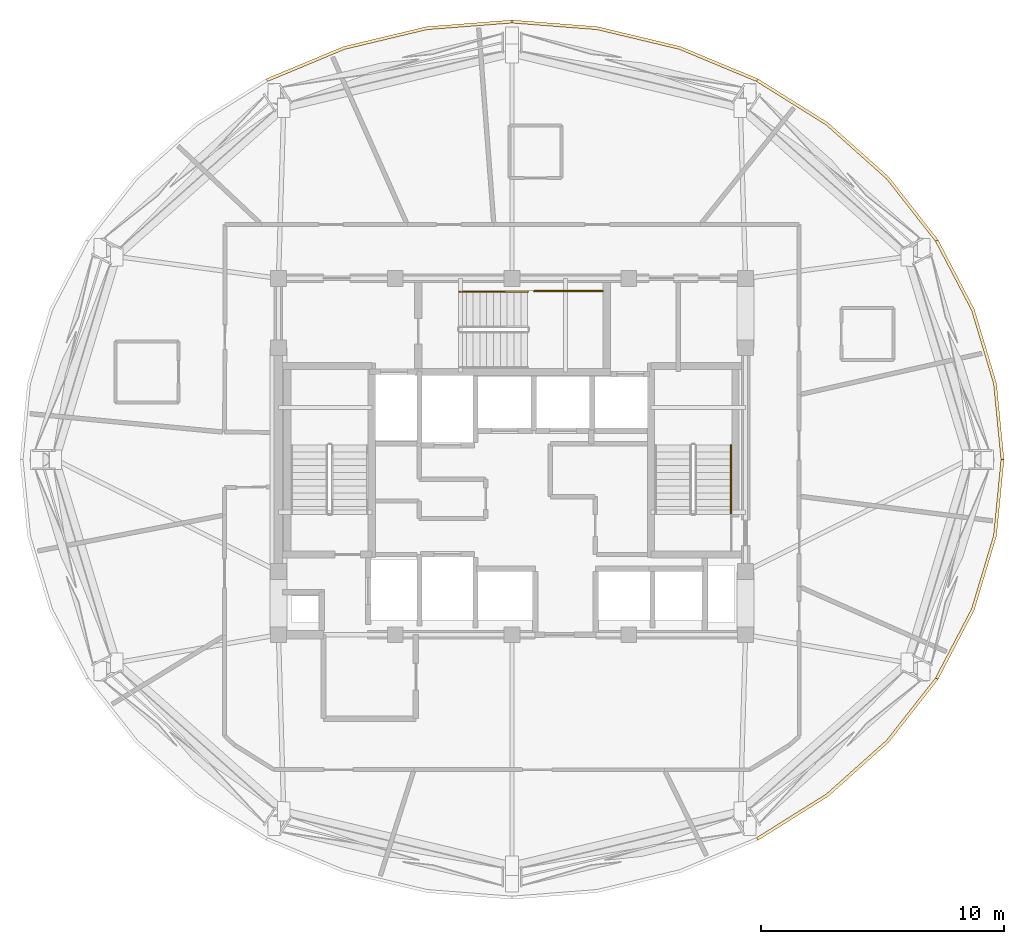
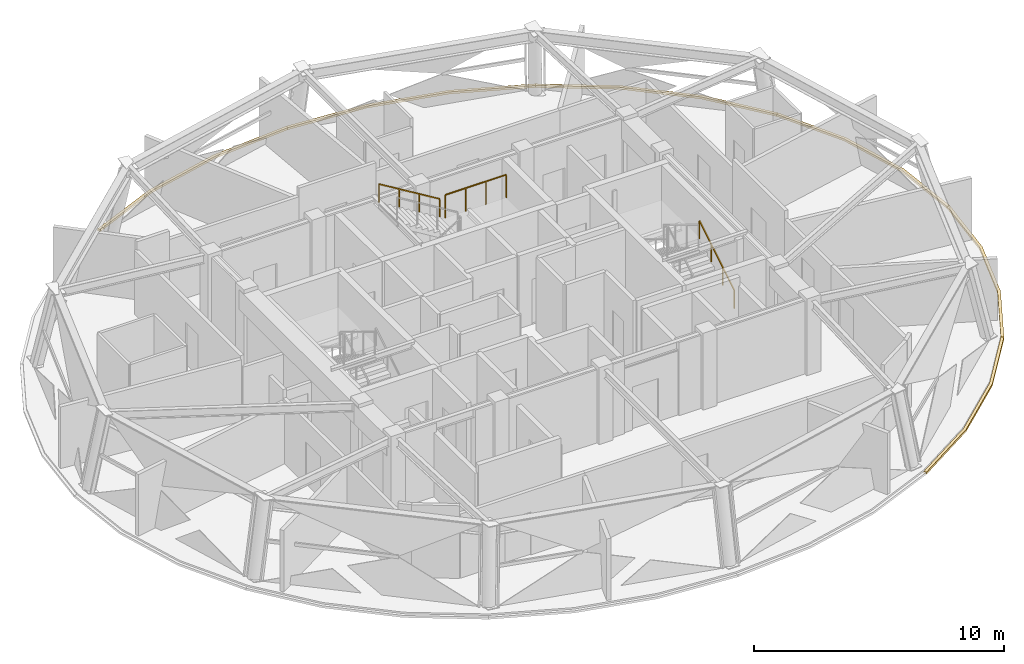
# One storey, part 11 of 11: 6 coverings, 3 railings.
"""IFC4 building model written with IfcOpenShell, lengths in metres."""

from ifc_helpers import new_model, si_unit, direction, frame, origin, origin_2d, place, context, subcontext, project, spatial, polyline, rectangle, outline, extrude, material, layer, layer_set, type_object, element, save


model = new_model("IFC4")

# Units and contexts
model_context = context("Model", 3, precision=1e-05, world=origin(), true_north=direction((0.0, 1.0)))
body_context = subcontext(model_context, "Body", "Model", "MODEL_VIEW")
ifc_project = project(units=[si_unit("LENGTHUNIT", "METRE"), si_unit("AREAUNIT", "SQUARE_METRE"), si_unit("VOLUMEUNIT", "CUBIC_METRE"), si_unit("PLANEANGLEUNIT", "RADIAN"), si_unit("MASSUNIT", "GRAM", prefix="KILO")], contexts=[model_context])

# Site, building, storey
site_placement = place(None, origin())
site = spatial("IfcSite", under=ifc_project, at=site_placement, CompositionType="ELEMENT")
building_placement = place(site_placement, origin())
building = spatial("IfcBuilding", under=site, at=building_placement, Name="Vantalir Tower", CompositionType="ELEMENT")
storey_placement = place(building_placement, frame((0.0, 0.0, 278.85009765625)))
storey = spatial("IfcBuildingStorey", under=building, at=storey_placement, Name="L70", CompositionType="ELEMENT", Elevation=278.85009765625)

# Coverings
ifc_material_1 = material(Name="Anodised champagne aluminium sill fascia", Category="aluminium")
ifc_layer = layer(ifc_material_1, 0.125)
ifc_layer_set = layer_set([ifc_layer], Name="Anodised champagne aluminium sill fascia")
covering_type = type_object("IfcCoveringType", Name="COV-SLAB-FASCIA-125", PredefinedType="CLADDING", material=ifc_layer_set)
covering_1_placement = place(storey_placement, frame((0.0, 0.0, -0.18017578125)))
element("IfcCovering", 1, at=covering_1_placement, inside=storey, type_object=covering_type, Name="L70 Perimeter Slab-Edge Sill Fascia 01", PredefinedType="CLADDING", context=body_context, shape_type="SweptSolid", body=[
    extrude(outline(polyline([(51.72509765625, 25.0), (51.41796875, 28.137939453125), (50.5048828125, 31.180908203125), (49.014892578125, 34.034912109375), (48.906982421875, 33.972900390625), (50.387939453125, 31.137939453125), (51.294921875, 28.115966796875), (51.60009765625, 25.0), (51.72509765625, 25.0)])), origin(), (0.0, 0.0, 1.0), 0.10498046875),
])
covering_2_placement = place(storey_placement, frame((0.0, 0.0, -0.18017578125)))
element("IfcCovering", 2, at=covering_2_placement, inside=storey, type_object=covering_type, Name="L70 Perimeter Slab-Edge Sill Fascia 02", PredefinedType="CLADDING", context=body_context, shape_type="SweptSolid", body=[
    extrude(outline(polyline([(49.014892578125, 34.034912109375), (46.992919921875, 36.615966796875), (44.5, 38.843017578125), (41.613037109375, 40.64990234375), (41.550048828125, 40.5419921875), (44.419921875, 38.7470703125), (46.89697265625, 36.534912109375), (48.906982421875, 33.972900390625), (49.014892578125, 34.034912109375)])), origin(), (0.0, 0.0, 1.0), 0.10498046875),
])
covering_3_placement = place(storey_placement, frame((0.0, 0.0, -0.18017578125)))
element("IfcCovering", 3, at=covering_3_placement, inside=storey, type_object=covering_type, Name="L70 Perimeter Slab-Edge Sill Fascia 03", PredefinedType="CLADDING", context=body_context, shape_type="SweptSolid", body=[
    extrude(outline(polyline([(41.613037109375, 40.64990234375), (38.4169921875, 41.98095703125), (35.011962890625, 42.7958984375), (31.5, 43.071044921875), (31.5, 42.946044921875), (34.989990234375, 42.673095703125), (38.375, 41.864013671875), (41.550048828125, 40.5419921875), (41.613037109375, 40.64990234375)])), origin(), (0.0, 0.0, 1.0), 0.10498046875),
])
covering_4_placement = place(storey_placement, frame((0.0, 0.0, -0.18017578125)))
element("IfcCovering", 4, at=covering_4_placement, inside=storey, type_object=covering_type, Name="L70 Perimeter Slab-Edge Sill Fascia 04", PredefinedType="CLADDING", context=body_context, shape_type="SweptSolid", body=[
    extrude(outline(polyline([(31.5, 43.071044921875), (27.988037109375, 42.7958984375), (24.5830078125, 41.98095703125), (21.387939453125, 40.64990234375), (21.449951171875, 40.5419921875), (24.625, 41.864013671875), (28.010009765625, 42.673095703125), (31.5, 42.946044921875), (31.5, 43.071044921875)])), origin(), (0.0, 0.0, 1.0), 0.10498046875),
])
covering_5_placement = place(storey_placement, frame((0.0, 0.0, -0.18017578125)))
element("IfcCovering", 5, at=covering_5_placement, inside=storey, type_object=covering_type, Name="L70 Perimeter Slab-Edge Sill Fascia 11", PredefinedType="CLADDING", context=body_context, shape_type="SweptSolid", body=[
    extrude(outline(polyline([(41.613037109375, 9.35009765625), (44.5, 11.156982421875), (46.992919921875, 13.384033203125), (49.014892578125, 15.964111328125), (48.906982421875, 16.027099609375), (46.89697265625, 13.465087890625), (44.419921875, 11.2529296875), (41.550048828125, 9.4580078125), (41.613037109375, 9.35009765625)])), origin(), (0.0, 0.0, 1.0), 0.10498046875),
])
covering_6_placement = place(storey_placement, frame((0.0, 0.0, -0.18017578125)))
element("IfcCovering", 6, at=covering_6_placement, inside=storey, type_object=covering_type, Name="L70 Perimeter Slab-Edge Sill Fascia 12", PredefinedType="CLADDING", context=body_context, shape_type="SweptSolid", body=[
    extrude(outline(polyline([(49.014892578125, 15.964111328125), (50.5048828125, 18.819091796875), (51.41796875, 21.862060546875), (51.72509765625, 25.0), (51.60009765625, 25.0), (51.294921875, 21.884033203125), (50.387939453125, 18.862060546875), (48.906982421875, 16.027099609375), (49.014892578125, 15.964111328125)])), origin(), (0.0, 0.0, 1.0), 0.10498046875),
])

# Railings
ifc_material_2 = material(Name="Anodised aluminium and stainless steel guard", Category="steel")
railing_type_1 = type_object("IfcRailingType", Name="RAL-GUARD-1120", PredefinedType="GUARDRAIL", material=ifc_material_2)
railing_1_placement = place(storey_placement, frame((32.419921875, 31.929931640625, 1.875)))
element("IfcRailing", 7, at=railing_1_placement, inside=storey, type_object=railing_type_1, Name="L70 Stair ST3 Half-Landing Slot Guard", PredefinedType="GUARDRAIL", context=body_context, shape_type="SweptSolid", body=[
    extrude(rectangle(XDim=0.048095703125, YDim=0.048095703125, at=origin_2d()), frame((0.0, 0.0, 1.1259765625), z_axis=(1.0, 0.0, 0.0), x_axis=(0.0, 1.0, 0.0)), (0.0, 0.0, 1.0), 2.820068359375),
    extrude(rectangle(XDim=0.0419921875, YDim=0.0419921875, at=origin_2d()), origin(), (0.0, 0.0, 1.0), 1.101806640625),
    extrude(rectangle(XDim=0.0419921875, YDim=0.0419921875, at=origin_2d()), frame((0.93994140625, 0.0, 0.0)), (0.0, 0.0, 1.0), 1.101806640625),
    extrude(rectangle(XDim=0.0419921875, YDim=0.0419921875, at=origin_2d()), frame((1.880126953125, 0.0, 0.0)), (0.0, 0.0, 1.0), 1.101806640625),
    extrude(rectangle(XDim=0.0419921875, YDim=0.0419921875, at=origin_2d()), frame((2.820068359375, 0.0, 0.0)), (0.0, 0.0, 1.0), 1.101806640625),
])
ifc_material_3 = material(Name="Brushed stainless steel tubular handrail", Category="steel")
railing_type_2 = type_object("IfcRailingType", Name="RAL-HANDRAIL-900", PredefinedType="HANDRAIL", material=ifc_material_3)
railing_2_placement = place(storey_placement, frame((40.5, 22.7900390625, 0.17041015625)))
element("IfcRailing", 8, at=railing_2_placement, inside=storey, type_object=railing_type_2, Name="L70 ST2 stair handrail 1", PredefinedType="HANDRAIL", context=body_context, shape_type="SweptSolid", body=[
    extrude(rectangle(XDim=0.048095703125, YDim=0.048095703125, at=origin_2d()), frame((0.0, 0.0, 0.8759765625), z_axis=(0.0, 0.854169791009, 0.51999420009), x_axis=(-1.0, 0.0, 0.0)), (0.0, 0.0, 1.0), 3.278076171875),
    extrude(rectangle(XDim=0.0419921875, YDim=0.0419921875, at=origin_2d()), origin(), (0.0, 0.0, 1.0), 0.851806640625),
    extrude(rectangle(XDim=0.0419921875, YDim=0.0419921875, at=origin_2d()), frame((0.0, 0.933349609375, 0.568115234375)), (0.0, 0.0, 1.0), 0.851806640625),
    extrude(rectangle(XDim=0.0419921875, YDim=0.0419921875, at=origin_2d()), frame((0.0, 1.86669921875, 1.136474609375)), (0.0, 0.0, 1.0), 0.851806640625),
    extrude(rectangle(XDim=0.0419921875, YDim=0.0419921875, at=origin_2d()), frame((0.0, 2.800048828125, 1.70458984375)), (0.0, 0.0, 1.0), 0.851806640625),
])
railing_3_placement = place(storey_placement, frame((32.139892578125, 31.89990234375, 2.04541015625)))
element("IfcRailing", 9, at=railing_3_placement, inside=storey, type_object=railing_type_2, Name="L70 ST3 stair handrail 2", PredefinedType="HANDRAIL", context=body_context, shape_type="SweptSolid", body=[
    extrude(rectangle(XDim=0.048095703125, YDim=0.048095703125, at=origin_2d()), frame((0.0, 0.0, 0.8759765625), z_axis=(-0.854149651119, 0.0, 0.520027281489), x_axis=(0.0, -1.0, 0.0)), (0.0, 0.0, 1.0), 3.27783203125),
    extrude(rectangle(XDim=0.0419921875, YDim=0.0419921875, at=origin_2d()), origin(), (0.0, 0.0, 1.0), 0.851806640625),
    extrude(rectangle(XDim=0.0419921875, YDim=0.0419921875, at=origin_2d()), frame((-0.933349609375, 0.0, 0.568115234375)), (0.0, 0.0, 1.0), 0.851806640625),
    extrude(rectangle(XDim=0.0419921875, YDim=0.0419921875, at=origin_2d()), frame((-1.866455078125, 0.0, 1.136474609375)), (0.0, 0.0, 1.0), 0.851806640625),
    extrude(rectangle(XDim=0.0419921875, YDim=0.0419921875, at=origin_2d()), frame((-2.7998046875, 0.0, 1.70458984375)), (0.0, 0.0, 1.0), 0.851806640625),
])

save(model, "model.ifc")
